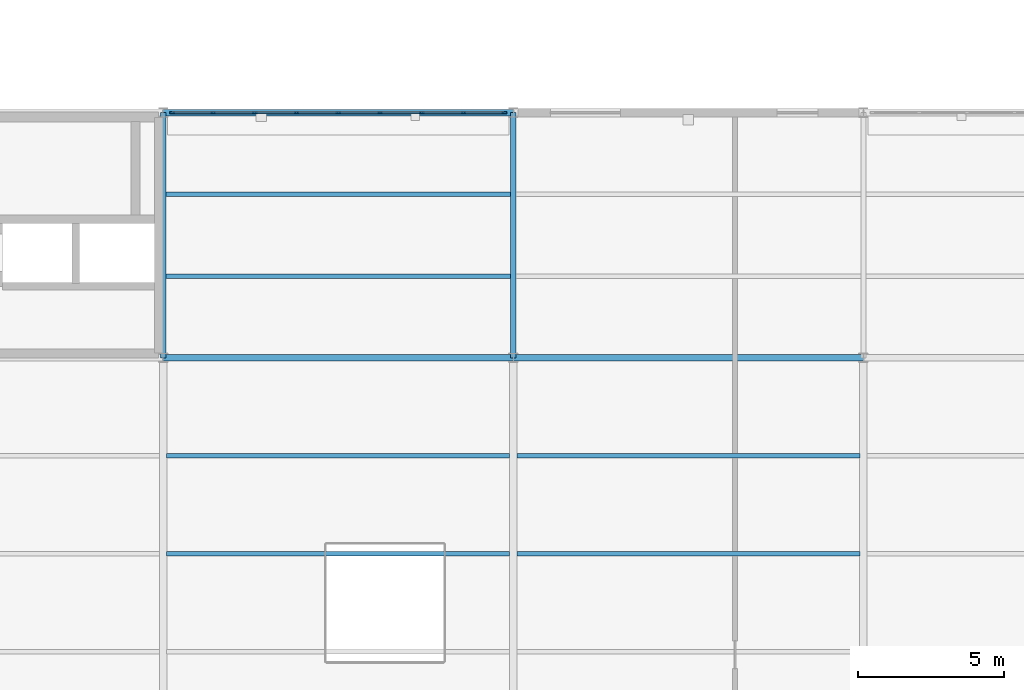
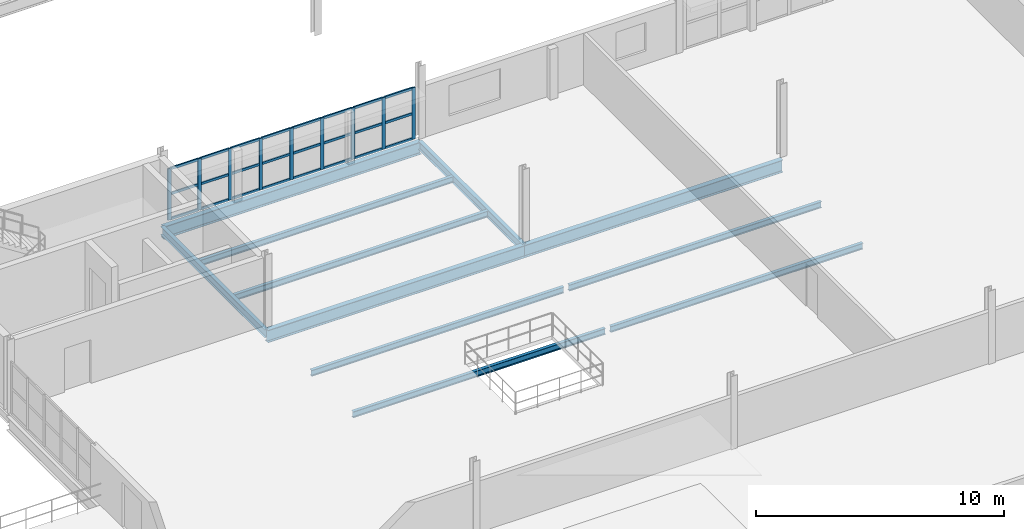
# One storey, part 50 of 101: 33 members, 11 beams, 1 element without a shape of its own.
"""IFC4 building model written with IfcOpenShell, lengths in metres."""

from ifc_helpers import new_model, si_unit, direction, frame, origin, origin_2d, place, context, subcontext, project, spatial, rectangle, i_section, extrude, material, layer, layer_set, material_profile, profile_set, type_object, element, aggregate, save


model = new_model("IFC4")

# Units and contexts
model_context = context("Model", 3, precision=1e-05, world=origin(), true_north=direction((0.0, 1.0)))
body_context = subcontext(model_context, "Body", "Model", "MODEL_VIEW")
ifc_project = project(units=[si_unit("LENGTHUNIT", "METRE"), si_unit("AREAUNIT", "SQUARE_METRE"), si_unit("VOLUMEUNIT", "CUBIC_METRE"), si_unit("PLANEANGLEUNIT", "RADIAN"), si_unit("MASSUNIT", "GRAM", prefix="KILO"), si_unit("THERMODYNAMICTEMPERATUREUNIT", "KELVIN"), si_unit("POWERUNIT", "WATT")], contexts=[model_context])

# Site, building, storey
site_placement = place(None, origin())
site = spatial("IfcSite", under=ifc_project, at=site_placement, CompositionType="ELEMENT")
building_placement = place(site_placement, origin())
building = spatial("IfcBuilding", under=site, at=building_placement, Name="Tembeka Court Mobility Hub", CompositionType="ELEMENT")
storey_placement = place(building_placement, frame((0.0, 0.0, 5.39990234375)))
storey = spatial("IfcBuildingStorey", under=building, at=storey_placement, Name="L01", CompositionType="ELEMENT", Elevation=5.39990234375)

# Beams
ifc_material_1 = material(Name="Steel S355", Category="steel")
ifc_material_profile_1 = material_profile(ifc_material_1, i_section(OverallWidth=0.177978515625, OverallDepth=0.406005859375, WebThickness=0.0078125, FlangeThickness=0.0126953125, FilletRadius=0.01025390625, at=origin_2d()), Name="UKB 406x178x60")
ifc_profile_set_1 = profile_set([ifc_material_profile_1], Name="Steel S355")
beam_type_1 = type_object("IfcBeamType", Name="BM-B02", PredefinedType="BEAM", material=ifc_profile_set_1)
for number, where, z_axis, x_axis, name in (
    (1, (128.39990234375, 38.39990234375, -0.392822265625), (0.0, 1.0, 0.0), (-1.0, 0.0, 0.0), "Beam B02 (BM-L01-Y0883)"),
    (2, (140.39990234375, 38.39990234375, -0.392822265625), (0.0, 1.0, 0.0), (-1.0, 0.0, 0.0), "Beam B02 (BM-L01-Y0891)"),
):
    element("IfcBeam", number, at=place(storey_placement, frame(where, z_axis=z_axis, x_axis=x_axis)), inside=storey, type_object=beam_type_1, Name=name, PredefinedType="BEAM", context=body_context, shape_type="SweptSolid", body=[
        extrude(i_section(OverallWidth=0.177978515625, OverallDepth=0.406005859375, WebThickness=0.0078125, FlangeThickness=0.0126953125, FilletRadius=0.01025390625, at=origin_2d()), origin(), (0.0, 0.0, 1.0), 8.400146484375),
    ])
ifc_material_profile_2 = material_profile(ifc_material_1, i_section(OverallWidth=0.22900390625, OverallDepth=0.612060546875, WebThickness=0.011962890625, FlangeThickness=0.01953125, FilletRadius=0.0126953125, at=origin_2d()), Name="UKB 610x229x125")
ifc_profile_set_2 = profile_set([ifc_material_profile_2], Name="Steel S355")
beam_type_2 = type_object("IfcBeamType", Name="BM-G02", PredefinedType="USERDEFINED", material=ifc_profile_set_2)
for number, where, z_axis, x_axis, name in (
    (3, (128.39990234375, 38.39990234375, -0.495849609375), (1.0, 0.0, 0.0), (0.0, 1.0, 0.0), "Beam G02 (BM-L01-X0661)"),
    (4, (140.39990234375, 38.39990234375, -0.495849609375), (1.0, 0.0, 0.0), (0.0, 1.0, 0.0), "Beam G02 (BM-L01-X0662)"),
    (5, (128.39990234375, 46.800048828125, -0.495849609375), (1.0, 0.0, 0.0), (0.0, 1.0, 0.0), "Beam G02 (BM-L01-X0675)"),
):
    element("IfcBeam", number, at=place(storey_placement, frame(where, z_axis=z_axis, x_axis=x_axis)), inside=storey, type_object=beam_type_2, Name=name, ObjectType="GIRDER", PredefinedType="USERDEFINED", context=body_context, shape_type="SweptSolid", body=[
        extrude(i_section(OverallWidth=0.22900390625, OverallDepth=0.612060546875, WebThickness=0.011962890625, FlangeThickness=0.01953125, FilletRadius=0.0126953125, at=origin_2d()), origin(), (0.0, 0.0, 1.0), 12.0),
    ])
ifc_material_profile_3 = material_profile(ifc_material_1, i_section(OverallWidth=0.14990234375, OverallDepth=0.300048828125, WebThickness=0.007080078125, FlangeThickness=0.0107421875, FilletRadius=0.014892578125, at=origin_2d()), Name="IPE 300")
ifc_profile_set_3 = profile_set([ifc_material_profile_3], Name="Steel S355")
beam_type_3 = type_object("IfcBeamType", Name="BM-J04", PredefinedType="JOIST", material=ifc_profile_set_3)
for number, where, z_axis, x_axis, name in (
    (6, (128.52197265625, 31.679931640625, -0.33984375), (1.0, 0.0, 0.0), (0.0, 1.0, 0.0), "Beam J04 (JST-L01-1128)"),
    (7, (128.52197265625, 35.0400390625, -0.33984375), (1.0, 0.0, 0.0), (0.0, 1.0, 0.0), "Beam J04 (JST-L01-1129)"),
):
    element("IfcBeam", number, at=place(storey_placement, frame(where, z_axis=z_axis, x_axis=x_axis)), inside=storey, type_object=beam_type_3, Name=name, PredefinedType="JOIST", context=body_context, shape_type="SweptSolid", body=[
        extrude(i_section(OverallWidth=0.14990234375, OverallDepth=0.300048828125, WebThickness=0.007080078125, FlangeThickness=0.0107421875, FilletRadius=0.014892578125, at=origin_2d()), origin(), (0.0, 0.0, 1.0), 11.756103515625),
    ])
for number, where, z_axis, x_axis, name in (
    (8, (128.48388671875, 41.199951171875, -0.33984375), (1.0, 0.0, 0.0), (0.0, 1.0, 0.0), "Beam J04 (JST-L01-1130)"),
    (9, (128.48388671875, 44.0, -0.33984375), (1.0, 0.0, 0.0), (0.0, 1.0, 0.0), "Beam J04 (JST-L01-1131)"),
):
    element("IfcBeam", number, at=place(storey_placement, frame(where, z_axis=z_axis, x_axis=x_axis)), inside=storey, type_object=beam_type_3, Name=name, PredefinedType="JOIST", context=body_context, shape_type="SweptSolid", body=[
        extrude(i_section(OverallWidth=0.14990234375, OverallDepth=0.300048828125, WebThickness=0.007080078125, FlangeThickness=0.0107421875, FilletRadius=0.014892578125, at=origin_2d()), origin(), (0.0, 0.0, 1.0), 11.83203125),
    ])
for number, where, z_axis, x_axis, name in (
    (10, (140.52197265625, 31.679931640625, -0.33984375), (1.0, 0.0, 0.0), (0.0, 1.0, 0.0), "Beam J04 (JST-L01-1143)"),
    (11, (140.52197265625, 35.0400390625, -0.33984375), (1.0, 0.0, 0.0), (0.0, 1.0, 0.0), "Beam J04 (JST-L01-1144)"),
):
    element("IfcBeam", number, at=place(storey_placement, frame(where, z_axis=z_axis, x_axis=x_axis)), inside=storey, type_object=beam_type_3, Name=name, PredefinedType="JOIST", context=body_context, shape_type="SweptSolid", body=[
        extrude(i_section(OverallWidth=0.14990234375, OverallDepth=0.300048828125, WebThickness=0.007080078125, FlangeThickness=0.0107421875, FilletRadius=0.014892578125, at=origin_2d()), origin(), (0.0, 0.0, 1.0), 11.756103515625),
    ])

# Curtain wall, members
ifc_material_2 = material(Name="Anodised aluminium 6063-T6", Category="aluminium")
ifc_layer = layer(ifc_material_2, 0.159912109375)
ifc_layer_set = layer_set([ifc_layer], Name="Anodised aluminium 6063-T6")
curtain_wall_type = type_object("IfcCurtainWallType", Name="CW-SYS41", PredefinedType="USERDEFINED", material=ifc_layer_set)
curtain_wall_placement = place(storey_placement, origin())
curtain_wall = element("IfcCurtainWall", 12, at=curtain_wall_placement, inside=storey, type_object=curtain_wall_type, Name="Unitised curtain wall CW41 (CW-L01-115)", ObjectType="UNITISED GLAZING", PredefinedType="USERDEFINED")
ifc_material_profile_4 = material_profile(ifc_material_2, rectangle(XDim=0.06494140625, YDim=0.159912109375, at=origin_2d()), Name="ALU-MUL 65x160")
ifc_profile_set_4 = profile_set([ifc_material_profile_4], Name="Anodised aluminium 6063-T6")
member_type_1 = type_object("IfcMemberType", Name="CW-MUL01", PredefinedType="MULLION", material=ifc_profile_set_4)
member_1_placement = place(storey_placement, frame((128.71240234375, 46.800048828125, 0.0), z_axis=(0.0, 0.0, 1.0), x_axis=(0.0, 1.0, 0.0)))
member_1 = element("IfcMember", 13, at=member_1_placement, type_object=member_type_1, Name="CW41 mullion 1", PredefinedType="MULLION", context=body_context, shape_type="SweptSolid", body=[
    extrude(rectangle(XDim=0.06494140625, YDim=0.159912109375, at=origin_2d()), origin(), (0.0, 0.0, 1.0), 2.53515625),
])
member_2_placement = place(storey_placement, frame((130.110107421875, 46.800048828125, 0.0), z_axis=(0.0, 0.0, 1.0), x_axis=(0.0, 1.0, 0.0)))
member_2 = element("IfcMember", 14, at=member_2_placement, type_object=member_type_1, Name="CW41 mullion 2", PredefinedType="MULLION", context=body_context, shape_type="SweptSolid", body=[
    extrude(rectangle(XDim=0.06494140625, YDim=0.159912109375, at=origin_2d()), origin(), (0.0, 0.0, 1.0), 2.53515625),
])
member_3_placement = place(storey_placement, frame((131.5400390625, 46.800048828125, 0.0), z_axis=(0.0, 0.0, 1.0), x_axis=(0.0, 1.0, 0.0)))
member_3 = element("IfcMember", 15, at=member_3_placement, type_object=member_type_1, Name="CW41 mullion 3", PredefinedType="MULLION", context=body_context, shape_type="SweptSolid", body=[
    extrude(rectangle(XDim=0.06494140625, YDim=0.159912109375, at=origin_2d()), origin(), (0.0, 0.0, 1.0), 2.53515625),
])
member_4_placement = place(storey_placement, frame((132.969970703125, 46.800048828125, 0.0), z_axis=(0.0, 0.0, 1.0), x_axis=(0.0, 1.0, 0.0)))
member_4 = element("IfcMember", 16, at=member_4_placement, type_object=member_type_1, Name="CW41 mullion 4", PredefinedType="MULLION", context=body_context, shape_type="SweptSolid", body=[
    extrude(rectangle(XDim=0.06494140625, YDim=0.159912109375, at=origin_2d()), origin(), (0.0, 0.0, 1.0), 2.53515625),
])
member_5_placement = place(storey_placement, frame((134.39990234375, 46.800048828125, 0.0), z_axis=(0.0, 0.0, 1.0), x_axis=(0.0, 1.0, 0.0)))
member_5 = element("IfcMember", 17, at=member_5_placement, type_object=member_type_1, Name="CW41 mullion 5", PredefinedType="MULLION", context=body_context, shape_type="SweptSolid", body=[
    extrude(rectangle(XDim=0.06494140625, YDim=0.159912109375, at=origin_2d()), origin(), (0.0, 0.0, 1.0), 2.53515625),
])
member_6_placement = place(storey_placement, frame((135.830078125, 46.800048828125, 0.0), z_axis=(0.0, 0.0, 1.0), x_axis=(0.0, 1.0, 0.0)))
member_6 = element("IfcMember", 18, at=member_6_placement, type_object=member_type_1, Name="CW41 mullion 6", PredefinedType="MULLION", context=body_context, shape_type="SweptSolid", body=[
    extrude(rectangle(XDim=0.06494140625, YDim=0.159912109375, at=origin_2d()), origin(), (0.0, 0.0, 1.0), 2.53515625),
])
member_7_placement = place(storey_placement, frame((137.260009765625, 46.800048828125, 0.0), z_axis=(0.0, 0.0, 1.0), x_axis=(0.0, 1.0, 0.0)))
member_7 = element("IfcMember", 19, at=member_7_placement, type_object=member_type_1, Name="CW41 mullion 7", PredefinedType="MULLION", context=body_context, shape_type="SweptSolid", body=[
    extrude(rectangle(XDim=0.06494140625, YDim=0.159912109375, at=origin_2d()), origin(), (0.0, 0.0, 1.0), 2.53515625),
])
member_8_placement = place(storey_placement, frame((138.68994140625, 46.800048828125, 0.0), z_axis=(0.0, 0.0, 1.0), x_axis=(0.0, 1.0, 0.0)))
member_8 = element("IfcMember", 20, at=member_8_placement, type_object=member_type_1, Name="CW41 mullion 8", PredefinedType="MULLION", context=body_context, shape_type="SweptSolid", body=[
    extrude(rectangle(XDim=0.06494140625, YDim=0.159912109375, at=origin_2d()), origin(), (0.0, 0.0, 1.0), 2.53515625),
])
member_9_placement = place(storey_placement, frame((140.08740234375, 46.800048828125, 0.0), z_axis=(0.0, 0.0, 1.0), x_axis=(0.0, 1.0, 0.0)))
member_9 = element("IfcMember", 21, at=member_9_placement, type_object=member_type_1, Name="CW41 mullion 9", PredefinedType="MULLION", context=body_context, shape_type="SweptSolid", body=[
    extrude(rectangle(XDim=0.06494140625, YDim=0.159912109375, at=origin_2d()), origin(), (0.0, 0.0, 1.0), 2.53515625),
])
ifc_material_profile_5 = material_profile(ifc_material_2, rectangle(XDim=0.06494140625, YDim=0.1201171875, at=origin_2d()), Name="ALU-TRN 65x120")
ifc_profile_set_5 = profile_set([ifc_material_profile_5], Name="Anodised aluminium 6063-T6")
member_type_2 = type_object("IfcMemberType", Name="CW-TRN01", PredefinedType="USERDEFINED", material=ifc_profile_set_5)
member_10_placement = place(storey_placement, frame((128.7451171875, 46.800048828125, 0.03271484375), z_axis=(1.0, 0.0, 0.0), x_axis=(0.0, 1.0, 0.0)))
member_10 = element("IfcMember", 22, at=member_10_placement, type_object=member_type_2, Name="CW41 transom 1.1", ObjectType="TRANSOM", PredefinedType="USERDEFINED", context=body_context, shape_type="SweptSolid", body=[
    extrude(rectangle(XDim=0.06494140625, YDim=0.1201171875, at=origin_2d()), origin(), (0.0, 0.0, 1.0), 1.332275390625),
])
member_11_placement = place(storey_placement, frame((128.7451171875, 46.800048828125, 1.267578125), z_axis=(1.0, 0.0, 0.0), x_axis=(0.0, 1.0, 0.0)))
member_11 = element("IfcMember", 23, at=member_11_placement, type_object=member_type_2, Name="CW41 transom 1.2", ObjectType="TRANSOM", PredefinedType="USERDEFINED", context=body_context, shape_type="SweptSolid", body=[
    extrude(rectangle(XDim=0.06494140625, YDim=0.1201171875, at=origin_2d()), origin(), (0.0, 0.0, 1.0), 1.332275390625),
])
member_12_placement = place(storey_placement, frame((128.7451171875, 46.800048828125, 2.502685546875), z_axis=(1.0, 0.0, 0.0), x_axis=(0.0, 1.0, 0.0)))
member_12 = element("IfcMember", 24, at=member_12_placement, type_object=member_type_2, Name="CW41 transom 1.3", ObjectType="TRANSOM", PredefinedType="USERDEFINED", context=body_context, shape_type="SweptSolid", body=[
    extrude(rectangle(XDim=0.06494140625, YDim=0.1201171875, at=origin_2d()), origin(), (0.0, 0.0, 1.0), 1.332275390625),
])
member_13_placement = place(storey_placement, frame((130.142578125, 46.800048828125, 0.03271484375), z_axis=(1.0, 0.0, 0.0), x_axis=(0.0, 1.0, 0.0)))
member_13 = element("IfcMember", 25, at=member_13_placement, type_object=member_type_2, Name="CW41 transom 2.1", ObjectType="TRANSOM", PredefinedType="USERDEFINED", context=body_context, shape_type="SweptSolid", body=[
    extrude(rectangle(XDim=0.06494140625, YDim=0.1201171875, at=origin_2d()), origin(), (0.0, 0.0, 1.0), 1.364990234375),
])
member_14_placement = place(storey_placement, frame((130.142578125, 46.800048828125, 1.267578125), z_axis=(1.0, 0.0, 0.0), x_axis=(0.0, 1.0, 0.0)))
member_14 = element("IfcMember", 26, at=member_14_placement, type_object=member_type_2, Name="CW41 transom 2.2", ObjectType="TRANSOM", PredefinedType="USERDEFINED", context=body_context, shape_type="SweptSolid", body=[
    extrude(rectangle(XDim=0.06494140625, YDim=0.1201171875, at=origin_2d()), origin(), (0.0, 0.0, 1.0), 1.364990234375),
])
member_15_placement = place(storey_placement, frame((130.142578125, 46.800048828125, 2.502685546875), z_axis=(1.0, 0.0, 0.0), x_axis=(0.0, 1.0, 0.0)))
member_15 = element("IfcMember", 27, at=member_15_placement, type_object=member_type_2, Name="CW41 transom 2.3", ObjectType="TRANSOM", PredefinedType="USERDEFINED", context=body_context, shape_type="SweptSolid", body=[
    extrude(rectangle(XDim=0.06494140625, YDim=0.1201171875, at=origin_2d()), origin(), (0.0, 0.0, 1.0), 1.364990234375),
])
member_16_placement = place(storey_placement, frame((131.572509765625, 46.800048828125, 0.03271484375), z_axis=(1.0, 0.0, 0.0), x_axis=(0.0, 1.0, 0.0)))
member_16 = element("IfcMember", 28, at=member_16_placement, type_object=member_type_2, Name="CW41 transom 3.1", ObjectType="TRANSOM", PredefinedType="USERDEFINED", context=body_context, shape_type="SweptSolid", body=[
    extrude(rectangle(XDim=0.06494140625, YDim=0.1201171875, at=origin_2d()), origin(), (0.0, 0.0, 1.0), 1.364990234375),
])
member_17_placement = place(storey_placement, frame((131.572509765625, 46.800048828125, 1.267578125), z_axis=(1.0, 0.0, 0.0), x_axis=(0.0, 1.0, 0.0)))
member_17 = element("IfcMember", 29, at=member_17_placement, type_object=member_type_2, Name="CW41 transom 3.2", ObjectType="TRANSOM", PredefinedType="USERDEFINED", context=body_context, shape_type="SweptSolid", body=[
    extrude(rectangle(XDim=0.06494140625, YDim=0.1201171875, at=origin_2d()), origin(), (0.0, 0.0, 1.0), 1.364990234375),
])
member_18_placement = place(storey_placement, frame((131.572509765625, 46.800048828125, 2.502685546875), z_axis=(1.0, 0.0, 0.0), x_axis=(0.0, 1.0, 0.0)))
member_18 = element("IfcMember", 30, at=member_18_placement, type_object=member_type_2, Name="CW41 transom 3.3", ObjectType="TRANSOM", PredefinedType="USERDEFINED", context=body_context, shape_type="SweptSolid", body=[
    extrude(rectangle(XDim=0.06494140625, YDim=0.1201171875, at=origin_2d()), origin(), (0.0, 0.0, 1.0), 1.364990234375),
])
member_19_placement = place(storey_placement, frame((133.00244140625, 46.800048828125, 0.03271484375), z_axis=(1.0, 0.0, 0.0), x_axis=(0.0, 1.0, 0.0)))
member_19 = element("IfcMember", 31, at=member_19_placement, type_object=member_type_2, Name="CW41 transom 4.1", ObjectType="TRANSOM", PredefinedType="USERDEFINED", context=body_context, shape_type="SweptSolid", body=[
    extrude(rectangle(XDim=0.06494140625, YDim=0.1201171875, at=origin_2d()), origin(), (0.0, 0.0, 1.0), 1.364990234375),
])
member_20_placement = place(storey_placement, frame((133.00244140625, 46.800048828125, 1.267578125), z_axis=(1.0, 0.0, 0.0), x_axis=(0.0, 1.0, 0.0)))
member_20 = element("IfcMember", 32, at=member_20_placement, type_object=member_type_2, Name="CW41 transom 4.2", ObjectType="TRANSOM", PredefinedType="USERDEFINED", context=body_context, shape_type="SweptSolid", body=[
    extrude(rectangle(XDim=0.06494140625, YDim=0.1201171875, at=origin_2d()), origin(), (0.0, 0.0, 1.0), 1.364990234375),
])
member_21_placement = place(storey_placement, frame((133.00244140625, 46.800048828125, 2.502685546875), z_axis=(1.0, 0.0, 0.0), x_axis=(0.0, 1.0, 0.0)))
member_21 = element("IfcMember", 33, at=member_21_placement, type_object=member_type_2, Name="CW41 transom 4.3", ObjectType="TRANSOM", PredefinedType="USERDEFINED", context=body_context, shape_type="SweptSolid", body=[
    extrude(rectangle(XDim=0.06494140625, YDim=0.1201171875, at=origin_2d()), origin(), (0.0, 0.0, 1.0), 1.364990234375),
])
member_22_placement = place(storey_placement, frame((134.4326171875, 46.800048828125, 0.03271484375), z_axis=(1.0, 0.0, 0.0), x_axis=(0.0, 1.0, 0.0)))
member_22 = element("IfcMember", 34, at=member_22_placement, type_object=member_type_2, Name="CW41 transom 5.1", ObjectType="TRANSOM", PredefinedType="USERDEFINED", context=body_context, shape_type="SweptSolid", body=[
    extrude(rectangle(XDim=0.06494140625, YDim=0.1201171875, at=origin_2d()), origin(), (0.0, 0.0, 1.0), 1.364990234375),
])
member_23_placement = place(storey_placement, frame((134.4326171875, 46.800048828125, 1.267578125), z_axis=(1.0, 0.0, 0.0), x_axis=(0.0, 1.0, 0.0)))
member_23 = element("IfcMember", 35, at=member_23_placement, type_object=member_type_2, Name="CW41 transom 5.2", ObjectType="TRANSOM", PredefinedType="USERDEFINED", context=body_context, shape_type="SweptSolid", body=[
    extrude(rectangle(XDim=0.06494140625, YDim=0.1201171875, at=origin_2d()), origin(), (0.0, 0.0, 1.0), 1.364990234375),
])
member_24_placement = place(storey_placement, frame((134.4326171875, 46.800048828125, 2.502685546875), z_axis=(1.0, 0.0, 0.0), x_axis=(0.0, 1.0, 0.0)))
member_24 = element("IfcMember", 36, at=member_24_placement, type_object=member_type_2, Name="CW41 transom 5.3", ObjectType="TRANSOM", PredefinedType="USERDEFINED", context=body_context, shape_type="SweptSolid", body=[
    extrude(rectangle(XDim=0.06494140625, YDim=0.1201171875, at=origin_2d()), origin(), (0.0, 0.0, 1.0), 1.364990234375),
])
member_25_placement = place(storey_placement, frame((135.862548828125, 46.800048828125, 0.03271484375), z_axis=(1.0, 0.0, 0.0), x_axis=(0.0, 1.0, 0.0)))
member_25 = element("IfcMember", 37, at=member_25_placement, type_object=member_type_2, Name="CW41 transom 6.1", ObjectType="TRANSOM", PredefinedType="USERDEFINED", context=body_context, shape_type="SweptSolid", body=[
    extrude(rectangle(XDim=0.06494140625, YDim=0.1201171875, at=origin_2d()), origin(), (0.0, 0.0, 1.0), 1.364990234375),
])
member_26_placement = place(storey_placement, frame((135.862548828125, 46.800048828125, 1.267578125), z_axis=(1.0, 0.0, 0.0), x_axis=(0.0, 1.0, 0.0)))
member_26 = element("IfcMember", 38, at=member_26_placement, type_object=member_type_2, Name="CW41 transom 6.2", ObjectType="TRANSOM", PredefinedType="USERDEFINED", context=body_context, shape_type="SweptSolid", body=[
    extrude(rectangle(XDim=0.06494140625, YDim=0.1201171875, at=origin_2d()), origin(), (0.0, 0.0, 1.0), 1.364990234375),
])
member_27_placement = place(storey_placement, frame((135.862548828125, 46.800048828125, 2.502685546875), z_axis=(1.0, 0.0, 0.0), x_axis=(0.0, 1.0, 0.0)))
member_27 = element("IfcMember", 39, at=member_27_placement, type_object=member_type_2, Name="CW41 transom 6.3", ObjectType="TRANSOM", PredefinedType="USERDEFINED", context=body_context, shape_type="SweptSolid", body=[
    extrude(rectangle(XDim=0.06494140625, YDim=0.1201171875, at=origin_2d()), origin(), (0.0, 0.0, 1.0), 1.364990234375),
])
member_28_placement = place(storey_placement, frame((137.29248046875, 46.800048828125, 0.03271484375), z_axis=(1.0, 0.0, 0.0), x_axis=(0.0, 1.0, 0.0)))
member_28 = element("IfcMember", 40, at=member_28_placement, type_object=member_type_2, Name="CW41 transom 7.1", ObjectType="TRANSOM", PredefinedType="USERDEFINED", context=body_context, shape_type="SweptSolid", body=[
    extrude(rectangle(XDim=0.06494140625, YDim=0.1201171875, at=origin_2d()), origin(), (0.0, 0.0, 1.0), 1.364990234375),
])
member_29_placement = place(storey_placement, frame((137.29248046875, 46.800048828125, 1.267578125), z_axis=(1.0, 0.0, 0.0), x_axis=(0.0, 1.0, 0.0)))
member_29 = element("IfcMember", 41, at=member_29_placement, type_object=member_type_2, Name="CW41 transom 7.2", ObjectType="TRANSOM", PredefinedType="USERDEFINED", context=body_context, shape_type="SweptSolid", body=[
    extrude(rectangle(XDim=0.06494140625, YDim=0.1201171875, at=origin_2d()), origin(), (0.0, 0.0, 1.0), 1.364990234375),
])
member_30_placement = place(storey_placement, frame((137.29248046875, 46.800048828125, 2.502685546875), z_axis=(1.0, 0.0, 0.0), x_axis=(0.0, 1.0, 0.0)))
member_30 = element("IfcMember", 42, at=member_30_placement, type_object=member_type_2, Name="CW41 transom 7.3", ObjectType="TRANSOM", PredefinedType="USERDEFINED", context=body_context, shape_type="SweptSolid", body=[
    extrude(rectangle(XDim=0.06494140625, YDim=0.1201171875, at=origin_2d()), origin(), (0.0, 0.0, 1.0), 1.364990234375),
])
member_31_placement = place(storey_placement, frame((138.722412109375, 46.800048828125, 0.03271484375), z_axis=(1.0, 0.0, 0.0), x_axis=(0.0, 1.0, 0.0)))
member_31 = element("IfcMember", 43, at=member_31_placement, type_object=member_type_2, Name="CW41 transom 8.1", ObjectType="TRANSOM", PredefinedType="USERDEFINED", context=body_context, shape_type="SweptSolid", body=[
    extrude(rectangle(XDim=0.06494140625, YDim=0.1201171875, at=origin_2d()), origin(), (0.0, 0.0, 1.0), 1.33251953125),
])
member_32_placement = place(storey_placement, frame((138.722412109375, 46.800048828125, 1.267578125), z_axis=(1.0, 0.0, 0.0), x_axis=(0.0, 1.0, 0.0)))
member_32 = element("IfcMember", 44, at=member_32_placement, type_object=member_type_2, Name="CW41 transom 8.2", ObjectType="TRANSOM", PredefinedType="USERDEFINED", context=body_context, shape_type="SweptSolid", body=[
    extrude(rectangle(XDim=0.06494140625, YDim=0.1201171875, at=origin_2d()), origin(), (0.0, 0.0, 1.0), 1.33251953125),
])
member_33_placement = place(storey_placement, frame((138.722412109375, 46.800048828125, 2.502685546875), z_axis=(1.0, 0.0, 0.0), x_axis=(0.0, 1.0, 0.0)))
member_33 = element("IfcMember", 45, at=member_33_placement, type_object=member_type_2, Name="CW41 transom 8.3", ObjectType="TRANSOM", PredefinedType="USERDEFINED", context=body_context, shape_type="SweptSolid", body=[
    extrude(rectangle(XDim=0.06494140625, YDim=0.1201171875, at=origin_2d()), origin(), (0.0, 0.0, 1.0), 1.33251953125),
])
aggregate(curtain_wall, [member_1, member_2, member_3, member_4, member_5, member_6, member_7, member_8, member_9, member_10, member_11, member_12, member_13, member_14, member_15, member_16, member_17, member_18, member_19, member_20, member_21, member_22, member_23, member_24, member_25, member_26, member_27, member_28, member_29, member_30, member_31, member_32, member_33])

save(model, "model.ifc")
